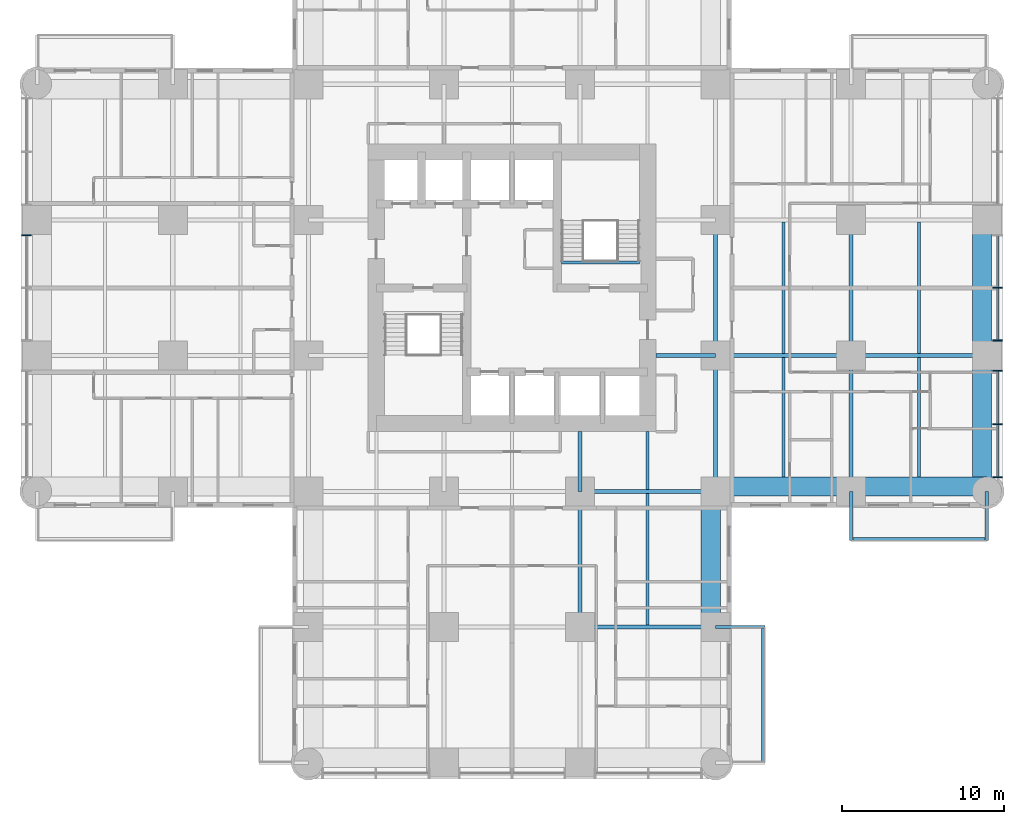
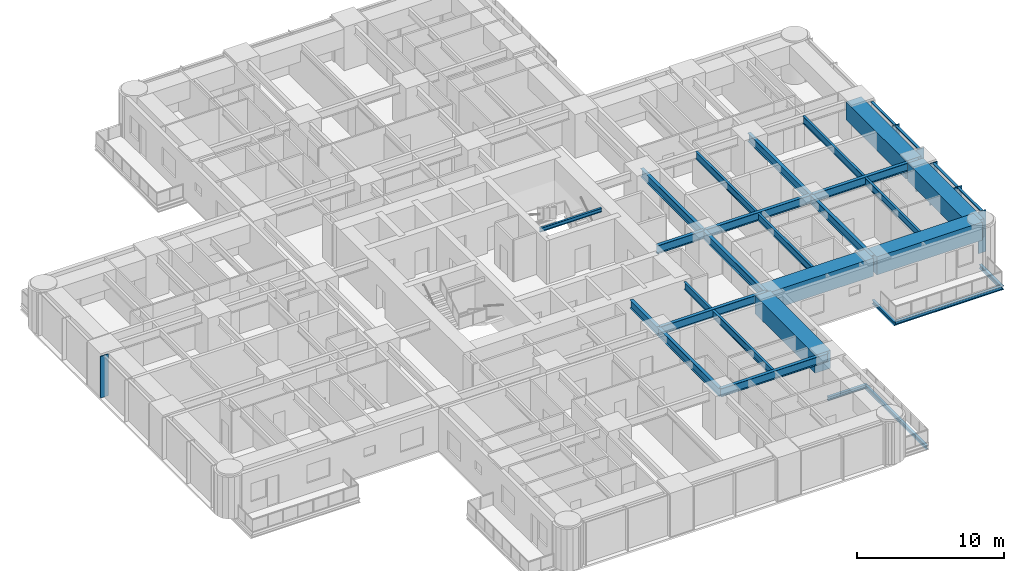
# One storey, part 3 of 17: 28 beams, 10 members, 2 elements without a shape of their own.
"""IFC4 building model written with IfcOpenShell, lengths in metres."""

import ifcopenshell
import ifcopenshell.guid

model = None  # the IFC model being written
_history = None  # IfcOwnerHistory: only IFC2X3 demands one
_inside = {}  # id of a spatial element -> (the spatial element, [elements in it])
_under = {}  # id of a project, library or spatial element -> (it, [spatial elements below it])
_declared = {}  # id of a project -> (the project, [libraries it declares])
_typed = {}  # id of a type object -> (the type object, [elements of that type])
_made_of = {}  # id of a material, layer set ... -> (it, [elements and type objects made of it])


def new_model(schema):
    """Start an empty IFC model of exactly this schema.

    Asked for "IFC4X3", IfcOpenShell would pick the latest addendum, in which some entities
    have other attributes; the version numbers below select the first issue.
    IFC2X3 requires an IfcOwnerHistory on every rooted entity: one is made here for all.
    """
    global model, _history
    if schema == "IFC4X3":
        model = ifcopenshell.file(schema_version=(4, 3, 0, 0))
    else:
        model = ifcopenshell.file(schema=schema)
    _inside.clear()
    _under.clear()
    _declared.clear()
    _typed.clear()
    _made_of.clear()
    _history = None
    if model.schema == "IFC2X3":
        org = make("IfcOrganization", Name="unknown")
        user = make(
            "IfcPersonAndOrganization",
            ThePerson=make("IfcPerson", FamilyName="unknown"),
            TheOrganization=org,
        )
        app = make(
            "IfcApplication",
            ApplicationDeveloper=org,
            Version="unknown",
            ApplicationFullName="unknown",
            ApplicationIdentifier="unknown",
        )
        _history = make(
            "IfcOwnerHistory",
            OwningUser=user,
            OwningApplication=app,
            ChangeAction="ADDED",
            CreationDate=0,
        )
    return model


def make(cls, **values):
    """One entity of the class cls with the attributes given. An attribute that is None is left unset."""
    return model.create_entity(
        cls, **{name: value for name, value in values.items() if value is not None}
    )


def rooted(cls, **values):
    """An entity with a GlobalId (a new one), such as an element, a storey or a relation."""
    return make(cls, GlobalId=ifcopenshell.guid.new(), OwnerHistory=_history, **values)


def si_unit(unit_type, name, prefix=None):
    """IfcSIUnit, for example si_unit("LENGTHUNIT", "METRE", prefix="MILLI")."""
    return make("IfcSIUnit", UnitType=unit_type, Prefix=prefix, Name=name)


def assignment(units):
    """IfcUnitAssignment: the units of a project."""
    return None if units is None else make("IfcUnitAssignment", Units=units)


def point(xyz):
    """IfcCartesianPoint."""
    return None if xyz is None else make("IfcCartesianPoint", Coordinates=xyz)


def direction(xyz):
    """IfcDirection."""
    return None if xyz is None else make("IfcDirection", DirectionRatios=xyz)


def frame(location, z_axis=None, x_axis=None):
    """IfcAxis2Placement3D, a coordinate frame: its origin and axes. An axis left out is left unset."""
    return make(
        "IfcAxis2Placement3D",
        Location=point(location),
        Axis=direction(z_axis),
        RefDirection=direction(x_axis),
    )


def frame_2d(location, x_axis=None):
    """IfcAxis2Placement2D, a coordinate frame in the plane: its origin and x axis."""
    return make(
        "IfcAxis2Placement2D", Location=point(location), RefDirection=direction(x_axis)
    )


def origin():
    """The frame at (0, 0, 0) with its axes left unset."""
    return frame((0.0, 0.0, 0.0))


def origin_2d():
    """The frame at (0, 0) in the plane with its x axis left unset."""
    return frame_2d((0.0, 0.0))


def place(relative_to, where):
    """IfcLocalPlacement: puts the frame where relative to a parent placement (None: the world)."""
    return make(
        "IfcLocalPlacement", PlacementRelTo=relative_to, RelativePlacement=where
    )


def context(
    kind, dimensions, precision=None, world=None, true_north=None, identifier=None
):
    """IfcGeometricRepresentationContext, for example the 3D "Model" context."""
    return make(
        "IfcGeometricRepresentationContext",
        ContextIdentifier=identifier,
        ContextType=kind,
        CoordinateSpaceDimension=dimensions,
        Precision=precision,
        WorldCoordinateSystem=world,
        TrueNorth=true_north,
    )


def subcontext(parent, identifier, kind, view, scale=None):
    """IfcGeometricRepresentationSubContext, for example "Body" below "Model"."""
    return make(
        "IfcGeometricRepresentationSubContext",
        ContextIdentifier=identifier,
        ContextType=kind,
        ParentContext=parent,
        TargetScale=scale,
        TargetView=view,
    )


def project(units=None, contexts=None):
    """IfcProject with its units and contexts."""
    return rooted(
        "IfcProject",
        Name="project",
        RepresentationContexts=contexts,
        UnitsInContext=assignment(units),
    )


def spatial(cls, under=None, at=None, **own):
    """A site, building, storey or space (cls), placed at a placement, below another one or the project."""
    s = rooted(cls, ObjectPlacement=at, **own)
    if under is not None:
        _under.setdefault(under.id(), (under, []))[1].append(s)
    return s


def profile(cls, at=None, kind="AREA", **sizes):
    """A parametric profile (cls). Its sizes go by their IFC names, for example OverallWidth=200.0."""
    return make(cls, ProfileType=kind, Position=at, **sizes)


def rectangle(**sizes):
    """IfcRectangleProfileDef."""
    return profile("IfcRectangleProfileDef", **sizes)


def i_section(**sizes):
    """IfcIShapeProfileDef."""
    return profile("IfcIShapeProfileDef", **sizes)


def extrude(swept, where, along, depth):
    """IfcExtrudedAreaSolid: the profile swept, set in the frame where, extruded along a direction by depth."""
    return make(
        "IfcExtrudedAreaSolid",
        SweptArea=swept,
        Position=where,
        ExtrudedDirection=direction(along),
        Depth=depth,
    )


def shape(context_of_items, identifier, shape_type, items):
    """IfcShapeRepresentation: the items that make up one representation, for example the "Body"."""
    return make(
        "IfcShapeRepresentation",
        ContextOfItems=context_of_items,
        RepresentationIdentifier=identifier,
        RepresentationType=shape_type,
        Items=items,
    )


def material(Name=None, Category=None):
    """IfcMaterial."""
    return make("IfcMaterial", Name=Name, Category=Category)


def material_profile(
    of_material, cross_section, Name=None, Category=None, Priority=None
):
    """IfcMaterialProfile: a cross section and its material."""
    return make(
        "IfcMaterialProfile",
        Name=Name,
        Material=of_material,
        Profile=cross_section,
        Priority=Priority,
        Category=Category,
    )


def profile_set(profiles, Name=None, composite=None):
    """IfcMaterialProfileSet."""
    return make(
        "IfcMaterialProfileSet",
        Name=Name,
        MaterialProfiles=profiles,
        CompositeProfile=composite,
    )


def made_of(thing, what):
    """Note that an element or type object is made of a material, layer set ...; save() writes the relation."""
    if what is not None:
        _made_of.setdefault(what.id(), (what, []))[1].append(thing)
    return thing


def type_object(cls, material=None, **own):
    """A type object (cls), such as IfcWallType, which elements share."""
    return made_of(rooted(cls, **own), material)


def element(
    cls,
    number,
    at=None,
    inside=None,
    cuts=None,
    type_object=None,
    material=None,
    context=None,
    identifier="Body",
    shape_type=None,
    held_by="IfcProductDefinitionShape",
    body=None,
    shapes=None,
    **own,
):
    """One element of the class cls, such as IfcWall. Its Tag is "e" and its number.

    at: its placement. inside: the storey or other place that contains it. cuts: it is an
    opening in that element (IfcRelVoidsElement). A single representation is given by context,
    identifier, shape_type and body (its items); several are given by shapes. held_by: the class
    of the entity that holds the representations. save() writes the other relations.
    """
    e = rooted(cls, Tag="e%d" % number, ObjectPlacement=at, **own)
    if body is not None:
        shapes = [shape(context, identifier, shape_type, body)]
    if shapes is not None:
        e.Representation = make(held_by, Representations=shapes)
    if inside is not None:
        _inside.setdefault(inside.id(), (inside, []))[1].append(e)
    if cuts is not None:
        rooted(
            "IfcRelVoidsElement", RelatingBuildingElement=cuts, RelatedOpeningElement=e
        )
    if type_object is not None:
        _typed.setdefault(type_object.id(), (type_object, []))[1].append(e)
    return made_of(e, material)


def aggregate(whole, parts):
    """IfcRelAggregates: a whole, such as a stair, and the parts it consists of."""
    return rooted("IfcRelAggregates", RelatingObject=whole, RelatedObjects=parts)


def save(model, path):
    """Write the relations noted so far, then the file.

    IfcRelAggregates (storeys below a building ...), IfcRelContainedInSpatialStructure (elements
    in a storey), IfcRelDefinesByType, IfcRelAssociatesMaterial and IfcRelDeclares: one each for
    every whole, place, type object, material and project.
    """
    for whole, parts in _under.values():
        aggregate(whole, parts)
    for where, things in _inside.values():
        rooted(
            "IfcRelContainedInSpatialStructure",
            RelatedElements=things,
            RelatingStructure=where,
        )
    for kind, things in _typed.values():
        rooted("IfcRelDefinesByType", RelatedObjects=things, RelatingType=kind)
    for what, things in _made_of.values():
        rooted("IfcRelAssociatesMaterial", RelatedObjects=things, RelatingMaterial=what)
    for by, libraries in _declared.values():
        rooted("IfcRelDeclares", RelatingContext=by, RelatedDefinitions=libraries)
    model.write(path)


model = new_model("IFC4")

# Units and contexts
model_context = context("Model", 3, precision=1e-05, world=origin(), true_north=direction((0.0, 1.0)))
body_context = subcontext(model_context, "Body", "Model", "MODEL_VIEW")
ifc_project = project(units=[si_unit("LENGTHUNIT", "METRE"), si_unit("AREAUNIT", "SQUARE_METRE"), si_unit("VOLUMEUNIT", "CUBIC_METRE"), si_unit("PLANEANGLEUNIT", "RADIAN"), si_unit("MASSUNIT", "GRAM", prefix="KILO")], contexts=[model_context])

# Site, building, storey
site_placement = place(None, origin())
site = spatial("IfcSite", under=ifc_project, at=site_placement, CompositionType="ELEMENT")
building_placement = place(site_placement, origin())
building = spatial("IfcBuilding", under=site, at=building_placement, Name="Torre Alcanfor", CompositionType="ELEMENT")
storey_placement = place(building_placement, frame((0.0, 0.0, 74.10009765625)))
storey = spatial("IfcBuildingStorey", under=building, at=storey_placement, Name="L18", CompositionType="ELEMENT", Elevation=74.10009765625)

# Beams
ifc_material_1 = material(Name="Steel ASTM A992 Grade 50", Category="steel")
ifc_material_profile_1 = material_profile(ifc_material_1, i_section(OverallWidth=0.205322265625, OverallDepth=0.309814453125, WebThickness=0.00927734375, FlangeThickness=0.016357421875, at=origin_2d()), Name="W12x50")
ifc_profile_set_1 = profile_set([ifc_material_profile_1], Name="Steel ASTM A992 Grade 50")
beam_type_1 = type_object("IfcBeamType", Name="Balcony cantilever beam W12x50", PredefinedType="BEAM", material=ifc_profile_set_1)
for number, where, z_axis, x_axis, name in (
    (1, (50.39990234375, 16.800048828125, -0.35498046875), (0.0, -1.0, 0.0), (1.0, 0.0, 0.0), "Balcony cantilever beam L18-E2 1"),
    (2, (58.800048828125, 16.800048828125, -0.35498046875), (0.0, -1.0, 0.0), (1.0, 0.0, 0.0), "Balcony cantilever beam L18-E2 2"),
    (3, (42.0, 8.39990234375, -0.35498046875), (1.0, 0.0, 0.0), (0.0, 1.0, 0.0), "Balcony cantilever beam L18-S1 1"),
):
    element("IfcBeam", number, at=place(storey_placement, frame(where, z_axis=z_axis, x_axis=x_axis)), inside=storey, type_object=beam_type_1, Name=name, PredefinedType="BEAM", context=body_context, shape_type="SweptSolid", body=[
        extrude(i_section(OverallWidth=0.205322265625, OverallDepth=0.309814453125, WebThickness=0.00927734375, FlangeThickness=0.016357421875, at=origin_2d()), origin(), (0.0, 0.0, 1.0), 3.050048828125),
    ])
ifc_material_2 = material(Name="Steel ASTM A992 Grade 50", Category="steel")
ifc_material_profile_2 = material_profile(ifc_material_2, i_section(OverallWidth=0.203369140625, OverallDepth=0.30224609375, WebThickness=0.007568359375, FlangeThickness=0.01318359375, at=origin_2d()), Name="W12x40")
ifc_profile_set_2 = profile_set([ifc_material_profile_2], Name="Steel ASTM A992 Grade 50")
beam_type_2 = type_object("IfcBeamType", Name="Balcony edge trimmer W12x40", PredefinedType="BEAM", material=ifc_profile_set_2)
beam_1_placement = place(storey_placement, frame((50.39990234375, 13.851806640625, -0.351318359375), z_axis=(1.0, 0.0, 0.0), x_axis=(0.0, 1.0, 0.0)))
element("IfcBeam", 4, at=beam_1_placement, inside=storey, type_object=beam_type_2, Name="Balcony edge trimmer L18-E2", PredefinedType="BEAM", context=body_context, shape_type="SweptSolid", body=[
    extrude(i_section(OverallWidth=0.203369140625, OverallDepth=0.30224609375, WebThickness=0.007568359375, FlangeThickness=0.01318359375, at=origin_2d()), origin(), (0.0, 0.0, 1.0), 8.400146484375),
])
beam_2_placement = place(storey_placement, frame((44.9482421875, 8.39990234375, -0.351318359375), z_axis=(0.0, -1.0, 0.0), x_axis=(1.0, 0.0, 0.0)))
element("IfcBeam", 5, at=beam_2_placement, inside=storey, type_object=beam_type_2, Name="Balcony edge trimmer L18-S1", PredefinedType="BEAM", context=body_context, shape_type="SweptSolid", body=[
    extrude(i_section(OverallWidth=0.203369140625, OverallDepth=0.30224609375, WebThickness=0.007568359375, FlangeThickness=0.01318359375, at=origin_2d()), origin(), (0.0, 0.0, 1.0), 8.39990234375),
])

# Curtain wall, member
ifc_material_3 = material(Name="Aluminium and glass", Category="aluminium")
curtain_wall_type = type_object("IfcCurtainWallType", Name="CW-A unitised apartment glazing with vertical FIN", PredefinedType="NOTDEFINED", material=ifc_material_3)
curtain_wall_1_placement = place(storey_placement, origin())
curtain_wall_1 = element("IfcCurtainWall", 6, at=curtain_wall_1_placement, inside=storey, type_object=curtain_wall_type, Name="Curtain wall CW-A L18 2", PredefinedType="NOTDEFINED")
ifc_material_4 = material(Name="Bronze anodised aluminium", Category="aluminium")
ifc_material_profile_3 = material_profile(ifc_material_4, rectangle(XDim=0.60009765625, YDim=0.06494140625, at=origin_2d()), Name="CW-A mullion 65x600")
ifc_profile_set_3 = profile_set([ifc_material_profile_3], Name="Bronze anodised aluminium")
member_type_1 = type_object("IfcMemberType", Name="CW-A mullion with vertical FIN 65x600", PredefinedType="MULLION", material=ifc_profile_set_3)
member_1_placement = place(storey_placement, frame((-0.64990234375, 32.66259765625, 0.0), z_axis=(0.0, 0.0, 1.0), x_axis=(1.0, 0.0, 0.0)))
member_1 = element("IfcMember", 7, at=member_1_placement, type_object=member_type_1, Name="CW-A mullion 2.1", PredefinedType="MULLION", context=body_context, shape_type="SweptSolid", body=[
    extrude(rectangle(XDim=0.60009765625, YDim=0.06494140625, at=origin_2d()), origin(), (0.0, 0.0, 1.0), 3.449951171875),
])
aggregate(curtain_wall_1, [member_1])

# Curtain wall, members
curtain_wall_2_placement = place(storey_placement, origin())
curtain_wall_2 = element("IfcCurtainWall", 8, at=curtain_wall_2_placement, inside=storey, type_object=curtain_wall_type, Name="Curtain wall CW-A L18 8", PredefinedType="NOTDEFINED")
member_2_placement = place(storey_placement, frame((59.449951171875, 17.6669921875, 0.0), z_axis=(0.0, 0.0, 1.0), x_axis=(-1.0, 0.0, 0.0)))
member_2 = element("IfcMember", 9, at=member_2_placement, type_object=member_type_1, Name="CW-A mullion 1.1", PredefinedType="MULLION", context=body_context, shape_type="SweptSolid", body=[
    extrude(rectangle(XDim=0.60009765625, YDim=0.06494140625, at=origin_2d()), origin(), (0.0, 0.0, 1.0), 3.449951171875),
])
member_3_placement = place(storey_placement, frame((59.449951171875, 20.96484375, 0.0), z_axis=(0.0, 0.0, 1.0), x_axis=(-1.0, 0.0, 0.0)))
member_3 = element("IfcMember", 10, at=member_3_placement, type_object=member_type_1, Name="CW-A mullion 1.2", PredefinedType="MULLION", context=body_context, shape_type="SweptSolid", body=[
    extrude(rectangle(XDim=0.60009765625, YDim=0.06494140625, at=origin_2d()), origin(), (0.0, 0.0, 1.0), 3.449951171875),
])
member_4_placement = place(storey_placement, frame((59.449951171875, 24.262451171875, 0.0), z_axis=(0.0, 0.0, 1.0), x_axis=(-1.0, 0.0, 0.0)))
member_4 = element("IfcMember", 11, at=member_4_placement, type_object=member_type_1, Name="CW-A mullion 1.3", PredefinedType="MULLION", context=body_context, shape_type="SweptSolid", body=[
    extrude(rectangle(XDim=0.60009765625, YDim=0.06494140625, at=origin_2d()), origin(), (0.0, 0.0, 1.0), 3.449951171875),
])
member_5_placement = place(storey_placement, frame((59.449951171875, 26.137451171875, 0.0), z_axis=(0.0, 0.0, 1.0), x_axis=(-1.0, 0.0, 0.0)))
member_5 = element("IfcMember", 12, at=member_5_placement, type_object=member_type_1, Name="CW-A mullion 2.1", PredefinedType="MULLION", context=body_context, shape_type="SweptSolid", body=[
    extrude(rectangle(XDim=0.60009765625, YDim=0.06494140625, at=origin_2d()), origin(), (0.0, 0.0, 1.0), 3.449951171875),
])
member_6_placement = place(storey_placement, frame((59.449951171875, 29.39990234375, 0.0), z_axis=(0.0, 0.0, 1.0), x_axis=(-1.0, 0.0, 0.0)))
member_6 = element("IfcMember", 13, at=member_6_placement, type_object=member_type_1, Name="CW-A mullion 2.2", PredefinedType="MULLION", context=body_context, shape_type="SweptSolid", body=[
    extrude(rectangle(XDim=0.60009765625, YDim=0.06494140625, at=origin_2d()), origin(), (0.0, 0.0, 1.0), 3.449951171875),
])
ifc_material_5 = material(Name="Extruded aluminium", Category="aluminium")
ifc_material_profile_4 = material_profile(ifc_material_5, rectangle(XDim=0.199951171875, YDim=0.06494140625, at=origin_2d()), Name="CW-A transom 200x65")
ifc_profile_set_4 = profile_set([ifc_material_profile_4], Name="Extruded aluminium")
member_type_2 = type_object("IfcMemberType", Name="CW-A transom 65x200", PredefinedType="USERDEFINED", material=ifc_profile_set_4)
member_7_placement = place(storey_placement, frame((59.449951171875, 17.699462890625, 3.41748046875), z_axis=(0.0, 1.0, 0.0), x_axis=(-1.0, 0.0, 0.0)))
member_7 = element("IfcMember", 14, at=member_7_placement, type_object=member_type_2, Name="CW-A transom 1.1.2", ObjectType="TRANSOM", PredefinedType="USERDEFINED", context=body_context, shape_type="SweptSolid", body=[
    extrude(rectangle(XDim=0.199951171875, YDim=0.06494140625, at=origin_2d()), origin(), (0.0, 0.0, 1.0), 3.232666015625),
])
member_8_placement = place(storey_placement, frame((59.449951171875, 20.997314453125, 3.41748046875), z_axis=(0.0, 1.0, 0.0), x_axis=(-1.0, 0.0, 0.0)))
member_8 = element("IfcMember", 15, at=member_8_placement, type_object=member_type_2, Name="CW-A transom 1.2.2", ObjectType="TRANSOM", PredefinedType="USERDEFINED", context=body_context, shape_type="SweptSolid", body=[
    extrude(rectangle(XDim=0.199951171875, YDim=0.06494140625, at=origin_2d()), origin(), (0.0, 0.0, 1.0), 3.232666015625),
])
member_9_placement = place(storey_placement, frame((59.449951171875, 26.169921875, 3.41748046875), z_axis=(0.0, 1.0, 0.0), x_axis=(-1.0, 0.0, 0.0)))
member_9 = element("IfcMember", 16, at=member_9_placement, type_object=member_type_2, Name="CW-A transom 2.1.2", ObjectType="TRANSOM", PredefinedType="USERDEFINED", context=body_context, shape_type="SweptSolid", body=[
    extrude(rectangle(XDim=0.199951171875, YDim=0.06494140625, at=origin_2d()), origin(), (0.0, 0.0, 1.0), 3.197509765625),
])
member_10_placement = place(storey_placement, frame((59.449951171875, 29.4326171875, 3.41748046875), z_axis=(0.0, 1.0, 0.0), x_axis=(-1.0, 0.0, 0.0)))
member_10 = element("IfcMember", 17, at=member_10_placement, type_object=member_type_2, Name="CW-A transom 2.2.2", ObjectType="TRANSOM", PredefinedType="USERDEFINED", context=body_context, shape_type="SweptSolid", body=[
    extrude(rectangle(XDim=0.199951171875, YDim=0.06494140625, at=origin_2d()), origin(), (0.0, 0.0, 1.0), 3.197265625),
])
aggregate(curtain_wall_2, [member_2, member_3, member_4, member_7, member_8, member_5, member_6, member_9, member_10])

# Beams
ifc_material_6 = material(Name="Steel ASTM A992 Grade 50", Category="steel")
ifc_material_profile_5 = material_profile(ifc_material_6, i_section(OverallWidth=0.25390625, OverallDepth=0.683349609375, WebThickness=0.012451171875, FlangeThickness=0.01904296875, at=origin_2d()), Name="W27x94")
ifc_profile_set_5 = profile_set([ifc_material_profile_5], Name="Steel ASTM A992 Grade 50")
beam_type_3 = type_object("IfcBeamType", Name="Girder W27x94", PredefinedType="BEAM", material=ifc_profile_set_5)
for number, where, z_axis, x_axis, name in (
    (18, (33.60009765625, 8.39990234375, 3.108154296875), (1.0, 0.0, 0.0), (0.0, 1.0, 0.0), "Beam 5D-6D under L19"),
    (19, (33.60009765625, 16.800048828125, 3.108154296875), (1.0, 0.0, 0.0), (0.0, 1.0, 0.0), "Beam 5E-6E under L19"),
    (20, (42.0, 25.199951171875, 3.108154296875), (1.0, 0.0, 0.0), (0.0, 1.0, 0.0), "Beam 6F-7F under L19"),
):
    element("IfcBeam", number, at=place(storey_placement, frame(where, z_axis=z_axis, x_axis=x_axis)), inside=storey, type_object=beam_type_3, Name=name, PredefinedType="BEAM", context=body_context, shape_type="SweptSolid", body=[
        extrude(i_section(OverallWidth=0.25390625, OverallDepth=0.683349609375, WebThickness=0.012451171875, FlangeThickness=0.01904296875, at=origin_2d()), origin(), (0.0, 0.0, 1.0), 8.39990234375),
    ])
for number, where, z_axis, x_axis, name in (
    (21, (50.39990234375, 25.199951171875, 3.108154296875), (1.0, 0.0, 0.0), (0.0, 1.0, 0.0), "Beam 7F-8F under L19"),
    (22, (33.60009765625, 8.39990234375, 3.108154296875), (0.0, 1.0, 0.0), (-1.0, 0.0, 0.0), "Beam 5D-5E under L19"),
):
    element("IfcBeam", number, at=place(storey_placement, frame(where, z_axis=z_axis, x_axis=x_axis)), inside=storey, type_object=beam_type_3, Name=name, PredefinedType="BEAM", context=body_context, shape_type="SweptSolid", body=[
        extrude(i_section(OverallWidth=0.25390625, OverallDepth=0.683349609375, WebThickness=0.012451171875, FlangeThickness=0.01904296875, at=origin_2d()), origin(), (0.0, 0.0, 1.0), 8.400146484375),
    ])
beam_3_placement = place(storey_placement, frame((42.0, 16.800048828125, 3.108154296875), z_axis=(0.0, 1.0, 0.0), x_axis=(-1.0, 0.0, 0.0)))
element("IfcBeam", 23, at=beam_3_placement, inside=storey, type_object=beam_type_3, Name="Beam 6E-6F under L19", PredefinedType="BEAM", context=body_context, shape_type="SweptSolid", body=[
    extrude(i_section(OverallWidth=0.25390625, OverallDepth=0.683349609375, WebThickness=0.012451171875, FlangeThickness=0.01904296875, at=origin_2d()), origin(), (0.0, 0.0, 1.0), 8.39990234375),
])
beam_4_placement = place(storey_placement, frame((42.0, 25.199951171875, 3.108154296875), z_axis=(0.0, 1.0, 0.0), x_axis=(-1.0, 0.0, 0.0)))
element("IfcBeam", 24, at=beam_4_placement, inside=storey, type_object=beam_type_3, Name="Beam 6F-6G under L19", PredefinedType="BEAM", context=body_context, shape_type="SweptSolid", body=[
    extrude(i_section(OverallWidth=0.25390625, OverallDepth=0.683349609375, WebThickness=0.012451171875, FlangeThickness=0.01904296875, at=origin_2d()), origin(), (0.0, 0.0, 1.0), 8.400146484375),
])
beam_5_placement = place(storey_placement, frame((50.39990234375, 16.800048828125, 3.108154296875), z_axis=(0.0, 1.0, 0.0), x_axis=(-1.0, 0.0, 0.0)))
element("IfcBeam", 25, at=beam_5_placement, inside=storey, type_object=beam_type_3, Name="Beam 7E-7F under L19", PredefinedType="BEAM", context=body_context, shape_type="SweptSolid", body=[
    extrude(i_section(OverallWidth=0.25390625, OverallDepth=0.683349609375, WebThickness=0.012451171875, FlangeThickness=0.01904296875, at=origin_2d()), origin(), (0.0, 0.0, 1.0), 8.39990234375),
])
beam_6_placement = place(storey_placement, frame((50.39990234375, 25.199951171875, 3.108154296875), z_axis=(0.0, 1.0, 0.0), x_axis=(-1.0, 0.0, 0.0)))
element("IfcBeam", 26, at=beam_6_placement, inside=storey, type_object=beam_type_3, Name="Beam 7F-7G under L19", PredefinedType="BEAM", context=body_context, shape_type="SweptSolid", body=[
    extrude(i_section(OverallWidth=0.25390625, OverallDepth=0.683349609375, WebThickness=0.012451171875, FlangeThickness=0.01904296875, at=origin_2d()), origin(), (0.0, 0.0, 1.0), 8.400146484375),
])
ifc_material_7 = material(Name="Steel ASTM A992 Grade 50", Category="steel")
ifc_material_profile_6 = material_profile(ifc_material_7, i_section(OverallWidth=0.25390625, OverallDepth=0.683349609375, WebThickness=0.012451171875, FlangeThickness=0.01904296875, at=origin_2d()), Name="W27x94")
ifc_profile_set_6 = profile_set([ifc_material_profile_6], Name="Steel ASTM A992 Grade 50")
beam_type_4 = type_object("IfcBeamType", Name="Girder, part bay W27x94", PredefinedType="BEAM", material=ifc_profile_set_6)
for number, where, z_axis, x_axis, name in (
    (27, (33.60009765625, 16.800048828125, 3.108154296875), (0.0, 1.0, 0.0), (-1.0, 0.0, 0.0), "Beam 5E-520_5 under L19"),
    (28, (42.0, 25.199951171875, 3.108154296875), (-1.0, 0.0, 0.0), (0.0, -1.0, 0.0), "Beam 6F-38_3F under L19"),
):
    element("IfcBeam", number, at=place(storey_placement, frame(where, z_axis=z_axis, x_axis=x_axis)), inside=storey, type_object=beam_type_4, Name=name, PredefinedType="BEAM", context=body_context, shape_type="SweptSolid", body=[
        extrude(i_section(OverallWidth=0.25390625, OverallDepth=0.683349609375, WebThickness=0.012451171875, FlangeThickness=0.01904296875, at=origin_2d()), origin(), (0.0, 0.0, 1.0), 3.699951171875),
    ])
ifc_material_8 = material(Name="Concrete f'c 70 MPa", Category="concrete")
ifc_material_profile_7 = material_profile(ifc_material_8, rectangle(XDim=1.199951171875, YDim=1.5, at=origin_2d()), Name="1200x1500")
ifc_profile_set_7 = profile_set([ifc_material_profile_7], Name="Concrete f'c 70 MPa")
beam_type_5 = type_object("IfcBeamType", Name="RC perimeter beam 1200x1500", PredefinedType="BEAM", material=ifc_profile_set_7)
beam_7_placement = place(storey_placement, frame((42.126953125, 17.10009765625, 2.699951171875), z_axis=(1.0, 0.0, 0.0), x_axis=(0.0, 1.0, 0.0)))
element("IfcBeam", 29, at=beam_7_placement, inside=storey, type_object=beam_type_5, Name="Beam 6E-7E under L19", PredefinedType="BEAM", context=body_context, shape_type="SweptSolid", body=[
    extrude(rectangle(XDim=1.199951171875, YDim=1.5, at=origin_2d()), origin(), (0.0, 0.0, 1.0), 8.14599609375),
])
beam_8_placement = place(storey_placement, frame((50.527099609375, 17.10009765625, 2.699951171875), z_axis=(1.0, 0.0, 0.0), x_axis=(0.0, 1.0, 0.0)))
element("IfcBeam", 30, at=beam_8_placement, inside=storey, type_object=beam_type_5, Name="Beam 7E-8E under L19", PredefinedType="BEAM", context=body_context, shape_type="SweptSolid", body=[
    extrude(rectangle(XDim=1.199951171875, YDim=1.5, at=origin_2d()), origin(), (0.0, 0.0, 1.0), 8.27294921875),
])
beam_9_placement = place(storey_placement, frame((41.699951171875, 8.527099609375, 2.699951171875), z_axis=(0.0, 1.0, 0.0), x_axis=(-1.0, 0.0, 0.0)))
element("IfcBeam", 31, at=beam_9_placement, inside=storey, type_object=beam_type_5, Name="Beam 6D-6E under L19", PredefinedType="BEAM", context=body_context, shape_type="SweptSolid", body=[
    extrude(rectangle(XDim=1.199951171875, YDim=1.5, at=origin_2d()), origin(), (0.0, 0.0, 1.0), 8.14599609375),
])
beam_10_placement = place(storey_placement, frame((58.5, 16.800048828125, 2.699951171875), z_axis=(0.0, 1.0, 0.0), x_axis=(-1.0, 0.0, 0.0)))
element("IfcBeam", 32, at=beam_10_placement, inside=storey, type_object=beam_type_5, Name="Beam 8E-8F under L19", PredefinedType="BEAM", context=body_context, shape_type="SweptSolid", body=[
    extrude(rectangle(XDim=1.199951171875, YDim=1.5, at=origin_2d()), origin(), (0.0, 0.0, 1.0), 8.27294921875),
])
beam_11_placement = place(storey_placement, frame((58.5, 25.326904296875, 2.699951171875), z_axis=(0.0, 1.0, 0.0), x_axis=(-1.0, 0.0, 0.0)))
element("IfcBeam", 33, at=beam_11_placement, inside=storey, type_object=beam_type_5, Name="Beam 8F-8G under L19", PredefinedType="BEAM", context=body_context, shape_type="SweptSolid", body=[
    extrude(rectangle(XDim=1.199951171875, YDim=1.5, at=origin_2d()), origin(), (0.0, 0.0, 1.0), 8.14599609375),
])
ifc_material_9 = material(Name="Steel ASTM A992 Grade 50", Category="steel")
ifc_material_profile_8 = material_profile(ifc_material_9, i_section(OverallWidth=0.1787109375, OverallDepth=0.60205078125, WebThickness=0.010986328125, FlangeThickness=0.014892578125, at=origin_2d()), Name="W24x62")
ifc_profile_set_8 = profile_set([ifc_material_profile_8], Name="Steel ASTM A992 Grade 50")
beam_type_6 = type_object("IfcBeamType", Name="Secondary beam W24x62", PredefinedType="BEAM", material=ifc_profile_set_8)
beam_12_placement = place(storey_placement, frame((37.800048828125, 8.527099609375, 3.14892578125), z_axis=(0.0, 1.0, 0.0), x_axis=(-1.0, 0.0, 0.0)))
element("IfcBeam", 34, at=beam_12_placement, inside=storey, type_object=beam_type_6, Name="Beam 37_8D-37_8E under L19", PredefinedType="BEAM", context=body_context, shape_type="SweptSolid", body=[
    extrude(i_section(OverallWidth=0.1787109375, OverallDepth=0.60205078125, WebThickness=0.010986328125, FlangeThickness=0.014892578125, at=origin_2d()), origin(), (0.0, 0.0, 1.0), 8.14599609375),
])
beam_13_placement = place(storey_placement, frame((46.199951171875, 17.699951171875, 3.14892578125), z_axis=(0.0, 1.0, 0.0), x_axis=(-1.0, 0.0, 0.0)))
element("IfcBeam", 35, at=beam_13_placement, inside=storey, type_object=beam_type_6, Name="Beam 46_2E-46_2F under L19", PredefinedType="BEAM", context=body_context, shape_type="SweptSolid", body=[
    extrude(i_section(OverallWidth=0.1787109375, OverallDepth=0.60205078125, WebThickness=0.010986328125, FlangeThickness=0.014892578125, at=origin_2d()), origin(), (0.0, 0.0, 1.0), 7.373046875),
])
beam_14_placement = place(storey_placement, frame((46.199951171875, 25.326904296875, 3.14892578125), z_axis=(0.0, 1.0, 0.0), x_axis=(-1.0, 0.0, 0.0)))
element("IfcBeam", 36, at=beam_14_placement, inside=storey, type_object=beam_type_6, Name="Beam 46_2F-46_2G under L19", PredefinedType="BEAM", context=body_context, shape_type="SweptSolid", body=[
    extrude(i_section(OverallWidth=0.1787109375, OverallDepth=0.60205078125, WebThickness=0.010986328125, FlangeThickness=0.014892578125, at=origin_2d()), origin(), (0.0, 0.0, 1.0), 8.14599609375),
])
beam_15_placement = place(storey_placement, frame((54.60009765625, 17.699951171875, 3.14892578125), z_axis=(0.0, 1.0, 0.0), x_axis=(-1.0, 0.0, 0.0)))
element("IfcBeam", 37, at=beam_15_placement, inside=storey, type_object=beam_type_6, Name="Beam 54_6E-54_6F under L19", PredefinedType="BEAM", context=body_context, shape_type="SweptSolid", body=[
    extrude(i_section(OverallWidth=0.1787109375, OverallDepth=0.60205078125, WebThickness=0.010986328125, FlangeThickness=0.014892578125, at=origin_2d()), origin(), (0.0, 0.0, 1.0), 7.373046875),
])
beam_16_placement = place(storey_placement, frame((54.60009765625, 25.326904296875, 3.14892578125), z_axis=(0.0, 1.0, 0.0), x_axis=(-1.0, 0.0, 0.0)))
element("IfcBeam", 38, at=beam_16_placement, inside=storey, type_object=beam_type_6, Name="Beam 54_6F-54_6G under L19", PredefinedType="BEAM", context=body_context, shape_type="SweptSolid", body=[
    extrude(i_section(OverallWidth=0.1787109375, OverallDepth=0.60205078125, WebThickness=0.010986328125, FlangeThickness=0.014892578125, at=origin_2d()), origin(), (0.0, 0.0, 1.0), 8.14599609375),
])
ifc_material_10 = material(Name="Steel ASTM A992 Grade 50", Category="steel")
ifc_material_profile_9 = material_profile(ifc_material_10, i_section(OverallWidth=0.1787109375, OverallDepth=0.60205078125, WebThickness=0.010986328125, FlangeThickness=0.014892578125, at=origin_2d()), Name="W24x62")
ifc_profile_set_9 = profile_set([ifc_material_profile_9], Name="Steel ASTM A992 Grade 50")
beam_type_7 = type_object("IfcBeamType", Name="Secondary beam, part bay W24x62", PredefinedType="BEAM", material=ifc_profile_set_9)
beam_17_placement = place(storey_placement, frame((37.800048828125, 16.927001953125, 3.14892578125), z_axis=(0.0, 1.0, 0.0), x_axis=(-1.0, 0.0, 0.0)))
element("IfcBeam", 39, at=beam_17_placement, inside=storey, type_object=beam_type_7, Name="Beam 37_8E-37_820_5 under L19", PredefinedType="BEAM", context=body_context, shape_type="SweptSolid", body=[
    extrude(i_section(OverallWidth=0.1787109375, OverallDepth=0.60205078125, WebThickness=0.010986328125, FlangeThickness=0.014892578125, at=origin_2d()), origin(), (0.0, 0.0, 1.0), 3.572998046875),
])
ifc_material_11 = material(Name="Steel ASTM A992 Grade 50", Category="steel")
ifc_material_profile_10 = material_profile(ifc_material_11, i_section(OverallWidth=0.164794921875, OverallDepth=0.309814453125, WebThickness=0.005859375, FlangeThickness=0.009765625, at=origin_2d()), Name="W12x26")
ifc_profile_set_10 = profile_set([ifc_material_profile_10], Name="Steel ASTM A992 Grade 50")
beam_type_8 = type_object("IfcBeamType", Name="Stair landing beam W12x26", PredefinedType="BEAM", material=ifc_profile_set_10)
beam_18_placement = place(storey_placement, frame((32.449951171875, 30.962646484375, 3.244873046875), z_axis=(1.0, 0.0, 0.0), x_axis=(0.0, 1.0, 0.0)))
element("IfcBeam", 40, at=beam_18_placement, inside=storey, type_object=beam_type_8, Name="Landing trimmer S2 L19", PredefinedType="BEAM", context=body_context, shape_type="SweptSolid", body=[
    extrude(i_section(OverallWidth=0.164794921875, OverallDepth=0.309814453125, WebThickness=0.005859375, FlangeThickness=0.009765625, at=origin_2d()), origin(), (0.0, 0.0, 1.0), 4.85009765625),
])

save(model, "model.ifc")
